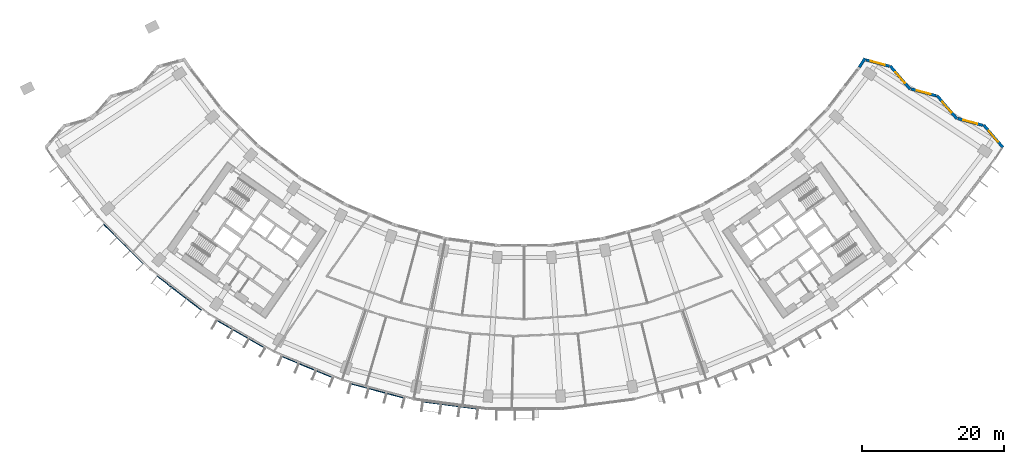
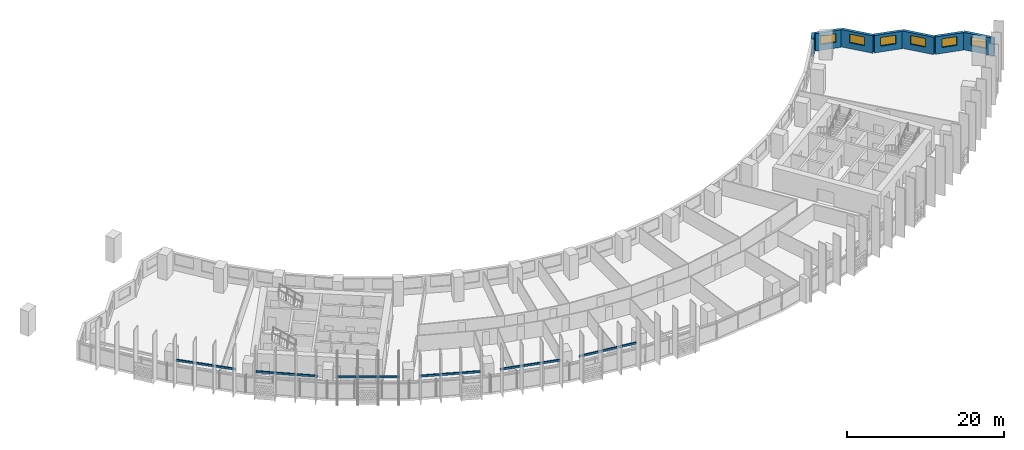
# One storey, part 8 of 31: 7 walls, 6 discrete accessories, 6 windows, 6 openings.
"""IFC4 building model written with IfcOpenShell, lengths in metres."""

from ifc_helpers import new_model, si_unit, direction, frame, frame_2d, origin, origin_2d, place, context, subcontext, project, spatial, rectangle, extrude, material, layer, layer_set, type_object, element, fill, save


model = new_model("IFC4")

# Units and contexts
model_context = context("Model", 3, precision=1e-05, world=origin(), true_north=direction((0.0, 1.0)))
body_context = subcontext(model_context, "Body", "Model", "MODEL_VIEW")
ifc_project = project(units=[si_unit("LENGTHUNIT", "METRE"), si_unit("AREAUNIT", "SQUARE_METRE"), si_unit("VOLUMEUNIT", "CUBIC_METRE"), si_unit("PLANEANGLEUNIT", "RADIAN"), si_unit("MASSUNIT", "GRAM", prefix="KILO")], contexts=[model_context])

# Site, building, storey
site_placement = place(None, origin())
site = spatial("IfcSite", under=ifc_project, at=site_placement, CompositionType="ELEMENT")
building_placement = place(site_placement, origin())
building = spatial("IfcBuilding", under=site, at=building_placement, Name="Qamariyya Broadcast Tower", CompositionType="ELEMENT")
storey_placement = place(building_placement, frame((0.0, 0.0, 48.10009765625)))
storey = spatial("IfcBuildingStorey", under=building, at=storey_placement, Name="L08", CompositionType="ELEMENT", Elevation=48.10009765625)

# Wall, opening, window
ifc_material_1 = material(Name="Terracotta", Category="masonry")
ifc_layer = layer(ifc_material_1, 0.39990234375)
ifc_layer_set = layer_set([ifc_layer], Name="Terracotta clad wall 400")
wall_type = type_object("IfcWallType", Name="Terracotta clad wall 400", PredefinedType="SOLIDWALL", material=ifc_layer_set)
wall_1_placement = place(storey_placement, frame((67.17529296875, -42.68798828125, 0.0), z_axis=(0.0, 0.0, 1.0), x_axis=(-0.650415699552, 0.759578447414, 0.0)))
wall_1 = element("IfcWall", 1, at=wall_1_placement, inside=storey, type_object=wall_type, Name="e-wl-L08-capE0", PredefinedType="SOLIDWALL", context=body_context, shape_type="SweptSolid", body=[
    extrude(rectangle(XDim=4.121826171875, YDim=0.39990234375, at=frame_2d((2.06103515625, 0.0))), origin(), (0.0, 0.0, 1.0), 2.699951171875),
])
opening_1_placement = place(wall_1_placement, frame((1.060791015625, 0.0, 0.89990234375)))
opening_1 = element("IfcOpeningElement", 2, at=opening_1_placement, cuts=wall_1, Name="Opening W4", PredefinedType="OPENING", context=body_context, shape_type="SweptSolid", body=[
    extrude(rectangle(XDim=2.0, YDim=1.35009765625, at=frame_2d((1.0, 0.675048828125))), frame((0.0, 0.2099609375, 0.0), z_axis=(0.0, -1.0, 0.0), x_axis=(1.0, 0.0, 0.0)), (0.0, 0.0, 1.0), 0.419921875),
])
ifc_material_2 = material(Name="Clear low-e double glazed unit in aluminium frame", Category="aluminium")
window_type = type_object("IfcWindowType", Name="Horn bay window 2000 x 1350", PartitioningType="SINGLE_PANEL", PredefinedType="WINDOW", material=ifc_material_2)
window_1_placement = place(opening_1_placement, origin())
window_1 = element("IfcWindow", 3, at=window_1_placement, inside=storey, type_object=window_type, Name="e-w-L08-capE0", OverallHeight=1.35009765625, OverallWidth=2.0, PartitioningType="SINGLE_PANEL", PredefinedType="WINDOW", context=body_context, shape_type="SweptSolid", body=[
    extrude(rectangle(XDim=2.0, YDim=1.35009765625, at=frame_2d((1.0, 0.675048828125))), frame((0.0, 0.030029296875, 0.0), z_axis=(0.0, -1.0, 0.0), x_axis=(1.0, 0.0, 0.0)), (0.0, 0.0, 1.0), 0.06005859375),
])
fill(opening_1, window_1)

wall_2_placement = place(storey_placement, frame((64.36962890625, -39.587646484375, 0.0), z_axis=(0.0, 0.0, 1.0), x_axis=(-0.96553172277, 0.260285405515, 0.0)))
wall_2 = element("IfcWall", 4, at=wall_2_placement, inside=storey, type_object=wall_type, Name="e-wl-L08-capE1", PredefinedType="SOLIDWALL", context=body_context, shape_type="SweptSolid", body=[
    extrude(rectangle(XDim=3.648681640625, YDim=0.39990234375, at=frame_2d((1.82421875, 0.0))), origin(), (0.0, 0.0, 1.0), 2.699951171875),
])
opening_2_placement = place(wall_2_placement, frame((0.824462890625, 0.0, 0.89990234375)))
opening_2 = element("IfcOpeningElement", 5, at=opening_2_placement, cuts=wall_2, Name="Opening W4", PredefinedType="OPENING", context=body_context, shape_type="SweptSolid", body=[
    extrude(rectangle(XDim=2.0, YDim=1.35009765625, at=frame_2d((1.0, 0.675048828125))), frame((0.0, 0.2099609375, 0.0), z_axis=(0.0, -1.0, 0.0), x_axis=(1.0, 0.0, 0.0)), (0.0, 0.0, 1.0), 0.419921875),
])
window_2_placement = place(opening_2_placement, origin())
window_2 = element("IfcWindow", 6, at=window_2_placement, inside=storey, type_object=window_type, Name="e-w-L08-capE1", OverallHeight=1.35009765625, OverallWidth=2.0, PartitioningType="SINGLE_PANEL", PredefinedType="WINDOW", context=body_context, shape_type="SweptSolid", body=[
    extrude(rectangle(XDim=2.0, YDim=1.35009765625, at=frame_2d((1.0, 0.675048828125))), frame((0.0, 0.030029296875, 0.0), z_axis=(0.0, -1.0, 0.0), x_axis=(1.0, 0.0, 0.0)), (0.0, 0.0, 1.0), 0.06005859375),
])
fill(opening_2, window_2)

wall_3_placement = place(storey_placement, frame((60.721923828125, -38.668701171875, 0.0), z_axis=(0.0, 0.0, 1.0), x_axis=(-0.650454234423, 0.759545448884, 0.0)))
wall_3 = element("IfcWall", 7, at=wall_3_placement, inside=storey, type_object=wall_type, Name="e-wl-L08-capE2", PredefinedType="SOLIDWALL", context=body_context, shape_type="SweptSolid", body=[
    extrude(rectangle(XDim=4.294677734375, YDim=0.39990234375, at=frame_2d((2.1474609375, 0.0))), origin(), (0.0, 0.0, 1.0), 2.699951171875),
])
opening_3_placement = place(wall_3_placement, frame((1.147216796875, 0.0, 0.89990234375)))
opening_3 = element("IfcOpeningElement", 8, at=opening_3_placement, cuts=wall_3, Name="Opening W4", PredefinedType="OPENING", context=body_context, shape_type="SweptSolid", body=[
    extrude(rectangle(XDim=2.0, YDim=1.35009765625, at=frame_2d((1.0, 0.675048828125))), frame((0.0, 0.2099609375, 0.0), z_axis=(0.0, -1.0, 0.0), x_axis=(1.0, 0.0, 0.0)), (0.0, 0.0, 1.0), 0.419921875),
])
window_3_placement = place(opening_3_placement, origin())
window_3 = element("IfcWindow", 9, at=window_3_placement, inside=storey, type_object=window_type, Name="e-w-L08-capE2", OverallHeight=1.35009765625, OverallWidth=2.0, PartitioningType="SINGLE_PANEL", PredefinedType="WINDOW", context=body_context, shape_type="SweptSolid", body=[
    extrude(rectangle(XDim=2.0, YDim=1.35009765625, at=frame_2d((1.0, 0.675048828125))), frame((0.0, 0.030029296875, 0.0), z_axis=(0.0, -1.0, 0.0), x_axis=(1.0, 0.0, 0.0)), (0.0, 0.0, 1.0), 0.06005859375),
])
fill(opening_3, window_3)

wall_4_placement = place(storey_placement, frame((57.8037109375, -35.437255859375, 0.0), z_axis=(0.0, 0.0, 1.0), x_axis=(-0.965564040066, 0.260165494506, 0.0)))
wall_4 = element("IfcWall", 10, at=wall_4_placement, inside=storey, type_object=wall_type, Name="e-wl-L08-capE3", PredefinedType="SOLIDWALL", context=body_context, shape_type="SweptSolid", body=[
    extrude(rectangle(XDim=3.6474609375, YDim=0.39990234375, at=frame_2d((1.82373046875, 0.0))), origin(), (0.0, 0.0, 1.0), 2.699951171875),
])
opening_4_placement = place(wall_4_placement, frame((0.82373046875, 0.0, 0.89990234375)))
opening_4 = element("IfcOpeningElement", 11, at=opening_4_placement, cuts=wall_4, Name="Opening W4", PredefinedType="OPENING", context=body_context, shape_type="SweptSolid", body=[
    extrude(rectangle(XDim=2.0, YDim=1.35009765625, at=frame_2d((1.0, 0.675048828125))), frame((0.0, 0.2099609375, 0.0), z_axis=(0.0, -1.0, 0.0), x_axis=(1.0, 0.0, 0.0)), (0.0, 0.0, 1.0), 0.419921875),
])
window_4_placement = place(opening_4_placement, origin())
window_4 = element("IfcWindow", 12, at=window_4_placement, inside=storey, type_object=window_type, Name="e-w-L08-capE3", OverallHeight=1.35009765625, OverallWidth=2.0, PartitioningType="SINGLE_PANEL", PredefinedType="WINDOW", context=body_context, shape_type="SweptSolid", body=[
    extrude(rectangle(XDim=2.0, YDim=1.35009765625, at=frame_2d((1.0, 0.675048828125))), frame((0.0, 0.030029296875, 0.0), z_axis=(0.0, -1.0, 0.0), x_axis=(1.0, 0.0, 0.0)), (0.0, 0.0, 1.0), 0.06005859375),
])
fill(opening_4, window_4)

wall_5_placement = place(storey_placement, frame((54.156982421875, -34.518798828125, 0.0), z_axis=(0.0, 0.0, 1.0), x_axis=(-0.650533929221, 0.759477193161, 0.0)))
wall_5 = element("IfcWall", 13, at=wall_5_placement, inside=storey, type_object=wall_type, Name="e-wl-L08-capE4", PredefinedType="SOLIDWALL", context=body_context, shape_type="SweptSolid", body=[
    extrude(rectangle(XDim=4.2958984375, YDim=0.39990234375, at=frame_2d((2.14794921875, 0.0))), origin(), (0.0, 0.0, 1.0), 2.699951171875),
])
opening_5_placement = place(wall_5_placement, frame((1.14794921875, 0.0, 0.89990234375)))
opening_5 = element("IfcOpeningElement", 14, at=opening_5_placement, cuts=wall_5, Name="Opening W4", PredefinedType="OPENING", context=body_context, shape_type="SweptSolid", body=[
    extrude(rectangle(XDim=2.0, YDim=1.35009765625, at=frame_2d((1.0, 0.675048828125))), frame((0.0, 0.2099609375, 0.0), z_axis=(0.0, -1.0, 0.0), x_axis=(1.0, 0.0, 0.0)), (0.0, 0.0, 1.0), 0.419921875),
])
window_5_placement = place(opening_5_placement, origin())
window_5 = element("IfcWindow", 15, at=window_5_placement, inside=storey, type_object=window_type, Name="e-w-L08-capE4", OverallHeight=1.35009765625, OverallWidth=2.0, PartitioningType="SINGLE_PANEL", PredefinedType="WINDOW", context=body_context, shape_type="SweptSolid", body=[
    extrude(rectangle(XDim=2.0, YDim=1.35009765625, at=frame_2d((1.0, 0.675048828125))), frame((0.0, 0.030029296875, 0.0), z_axis=(0.0, -1.0, 0.0), x_axis=(1.0, 0.0, 0.0)), (0.0, 0.0, 1.0), 0.06005859375),
])
fill(opening_5, window_5)

wall_6_placement = place(storey_placement, frame((51.237548828125, -31.286865234375, 0.0), z_axis=(0.0, 0.0, 1.0), x_axis=(-0.965577548367, 0.260115355352, 0.0)))
wall_6 = element("IfcWall", 16, at=wall_6_placement, inside=storey, type_object=wall_type, Name="e-wl-L08-capE5", PredefinedType="SOLIDWALL", context=body_context, shape_type="SweptSolid", body=[
    extrude(rectangle(XDim=3.39404296875, YDim=0.39990234375, at=frame_2d((1.697021484375, 0.0))), origin(), (0.0, 0.0, 1.0), 2.699951171875),
])
opening_6_placement = place(wall_6_placement, frame((0.697021484375, 0.0, 0.89990234375)))
opening_6 = element("IfcOpeningElement", 17, at=opening_6_placement, cuts=wall_6, Name="Opening W4", PredefinedType="OPENING", context=body_context, shape_type="SweptSolid", body=[
    extrude(rectangle(XDim=2.0, YDim=1.35009765625, at=frame_2d((1.0, 0.675048828125))), frame((0.0, 0.2099609375, 0.0), z_axis=(0.0, -1.0, 0.0), x_axis=(1.0, 0.0, 0.0)), (0.0, 0.0, 1.0), 0.419921875),
])
window_6_placement = place(opening_6_placement, origin())
window_6 = element("IfcWindow", 18, at=window_6_placement, inside=storey, type_object=window_type, Name="e-w-L08-capE5", OverallHeight=1.35009765625, OverallWidth=2.0, PartitioningType="SINGLE_PANEL", PredefinedType="WINDOW", context=body_context, shape_type="SweptSolid", body=[
    extrude(rectangle(XDim=2.0, YDim=1.35009765625, at=frame_2d((1.0, 0.675048828125))), frame((0.0, 0.030029296875, 0.0), z_axis=(0.0, -1.0, 0.0), x_axis=(1.0, 0.0, 0.0)), (0.0, 0.0, 1.0), 0.06005859375),
])
fill(opening_6, window_6)

# Wall
wall_7_placement = place(storey_placement, frame((47.823974609375, -30.18017578125, 0.0), z_axis=(0.0, 0.0, 1.0), x_axis=(-0.545022764295, -0.838421246391, 0.0)))
element("IfcWall", 19, at=wall_7_placement, inside=storey, type_object=wall_type, Name="e-wl-L08-in160", PredefinedType="SOLIDWALL", context=body_context, shape_type="SweptSolid", body=[
    extrude(rectangle(XDim=1.49609375, YDim=0.39990234375, at=frame_2d((0.748046875, 0.0))), origin(), (0.0, 0.0, 1.0), 2.699951171875),
])

# Discrete accessories
ifc_material_3 = material(Name="Stainless steel 316", Category="steel")
discrete_accessory_type = type_object("IfcDiscreteAccessoryType", Name="Slab edge fixing angle, stainless steel", PredefinedType="BRACKET", material=ifc_material_3)
for number, where, z_axis, x_axis, name in (
    (20, (-56.25341796875, -56.25341796875, 3.2998046875), (0.0, 0.0, 1.0), (0.707106781187, -0.707106781187, 0.0), "e-br-L08-02-0"),
    (21, (-48.4296875, -63.11474609375, 3.2998046875), (0.0, 0.0, 1.0), (0.793353340291, -0.608761429009, 0.0), "e-br-L08-03-0"),
    (22, (-39.77734375, -68.896240234375, 3.2998046875), (0.0, 0.0, 1.0), (0.866025403784, -0.5, 0.0), "e-br-L08-04-0"),
    (23, (-30.444091796875, -73.498779296875, 3.2998046875), (0.0, 0.0, 1.0), (0.923879532511, -0.382683432365, 0.0), "e-br-L08-05-0"),
    (24, (-20.59033203125, -76.84375, 3.2998046875), (0.0, 0.0, 1.0), (0.965925826289, -0.258819045103, 0.0), "e-br-L08-06-0"),
    (25, (-10.384033203125, -78.873779296875, 3.2998046875), (0.0, 0.0, 1.0), (0.991444861374, -0.13052619222, 0.0), "e-br-L08-07-0"),
):
    element("IfcDiscreteAccessory", number, at=place(storey_placement, frame(where, z_axis=z_axis, x_axis=x_axis)), inside=storey, type_object=discrete_accessory_type, Name=name, PredefinedType="BRACKET", context=body_context, shape_type="SweptSolid", body=[
        extrude(rectangle(XDim=7.9140625, YDim=0.14990234375, at=origin_2d()), origin(), (0.0, 0.0, 1.0), 0.300048828125),
    ])

save(model, "model.ifc")
